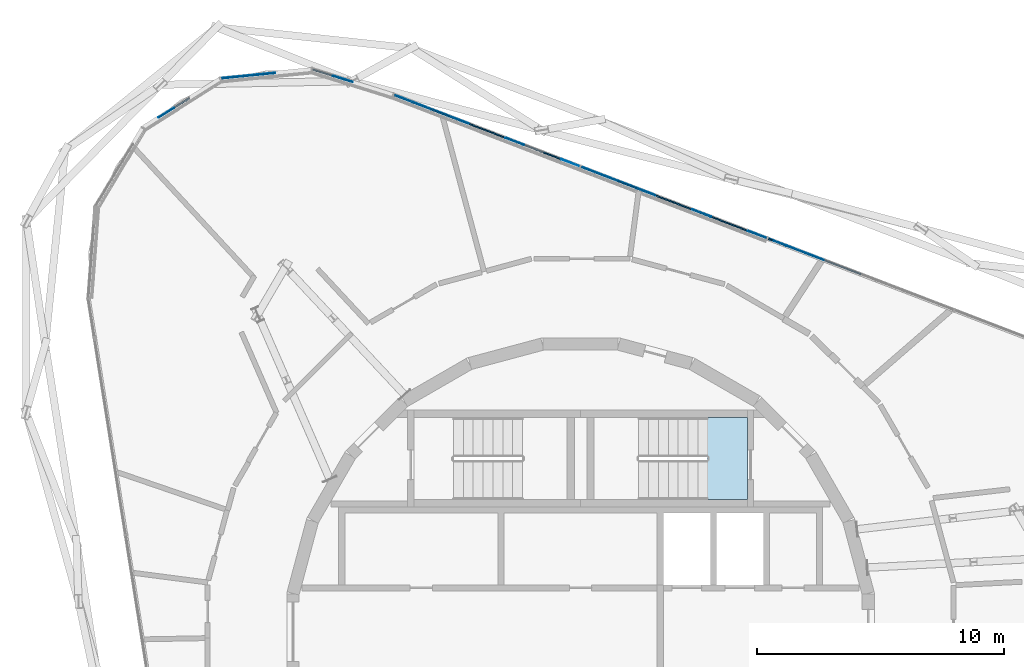
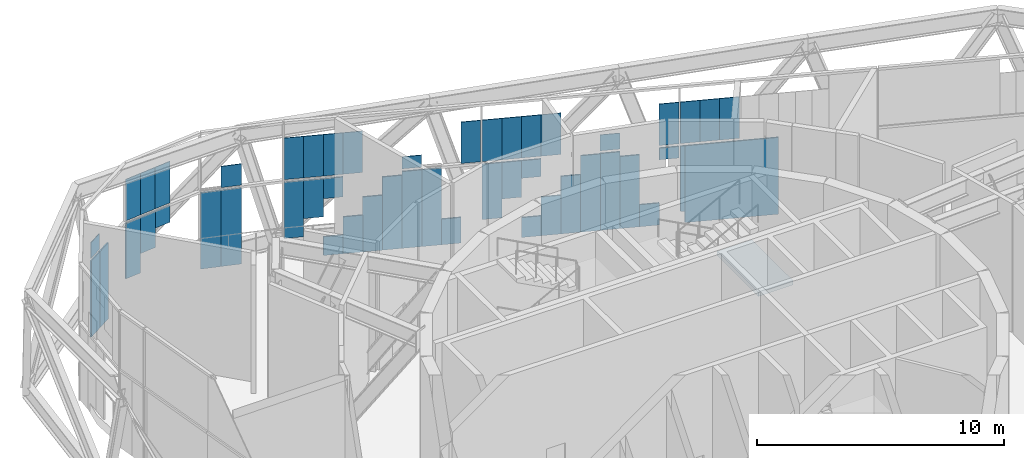
# One storey, part 15 of 25: 50 plates, 1 slab, 3 elements without a shape of their own.
"""IFC4 building model written with IfcOpenShell, lengths in metres."""

from ifc_helpers import new_model, si_unit, direction, frame, origin, origin_2d, place, context, subcontext, project, spatial, polyline, rectangle, outline, extrude, material, layer, layer_set, type_object, element, aggregate, save


model = new_model("IFC4")

# Units and contexts
model_context = context("Model", 3, precision=1e-05, world=origin(), true_north=direction((0.0, 1.0)))
body_context = subcontext(model_context, "Body", "Model", "MODEL_VIEW")
ifc_project = project(units=[si_unit("LENGTHUNIT", "METRE"), si_unit("AREAUNIT", "SQUARE_METRE"), si_unit("VOLUMEUNIT", "CUBIC_METRE"), si_unit("PLANEANGLEUNIT", "RADIAN"), si_unit("MASSUNIT", "GRAM", prefix="KILO")], contexts=[model_context])

# Site, building, storey
site_placement = place(None, origin())
site = spatial("IfcSite", under=ifc_project, at=site_placement, CompositionType="ELEMENT")
building_placement = place(site_placement, origin())
building = spatial("IfcBuilding", under=site, at=building_placement, Name="Spindle Arch Residences", CompositionType="ELEMENT")
storey_placement = place(building_placement, frame((0.0, 0.0, 291.39990234375)))
storey = spatial("IfcBuildingStorey", under=building, at=storey_placement, Name="L75", CompositionType="ELEMENT", Elevation=291.39990234375)

# Stair, slab
ifc_material_1 = material(Name="Concrete C50/60", Category="concrete")
stair_type = type_object("IfcStairType", Name="Exit stair 32 risers", PredefinedType="HALF_TURN_STAIR", material=ifc_material_1)
stair_placement = place(storey_placement, origin())
stair = element("IfcStair", 1, at=stair_placement, inside=storey, type_object=stair_type, Name="L75 Exit stair ST1", PredefinedType="HALF_TURN_STAIR")
ifc_material_2 = material(Name="Concrete C50/60", Category="concrete")
ifc_layer_1 = layer(ifc_material_2, 0.219970703125)
ifc_layer_set_1 = layer_set([ifc_layer_1], Name="Exit stair landing 220")
slab_type = type_object("IfcSlabType", Name="Exit stair landing 220", PredefinedType="LANDING", material=ifc_layer_set_1)
slab_placement = place(storey_placement, frame((0.0, 0.0, 3.18017578125)))
slab = element("IfcSlab", 2, at=slab_placement, type_object=slab_type, Name="ST1 landing 2", PredefinedType="LANDING", context=body_context, shape_type="SweptSolid", body=[
    extrude(outline(polyline([(6.75, 8.669921875), (5.1298828125, 8.669921875), (5.1298828125, 5.35009765625), (6.75, 5.35009765625), (6.75, 8.669921875)])), origin(), (0.0, 0.0, 1.0), 0.219970703125),
])
aggregate(stair, [slab])

# Curtain wall, plates
ifc_material_3 = material(Name="Aluminium bronze unitised frame with tinted glass", Category="aluminium")
ifc_layer_2 = layer(ifc_material_3, 0.159912109375)
ifc_layer_set_2 = layer_set([ifc_layer_2], Name="CW-E double-height winter garden wall")
curtain_wall_type = type_object("IfcCurtainWallType", Name="CW-E double-height winter garden wall", PredefinedType="NOTDEFINED", material=ifc_layer_set_2)
curtain_wall_1_placement = place(storey_placement, origin())
curtain_wall_1 = element("IfcCurtainWall", 3, at=curtain_wall_1_placement, inside=storey, type_object=curtain_wall_type, Name="CW-E L75 run 2", PredefinedType="NOTDEFINED")
ifc_material_4 = material(Name="Tinted laminated glass 28 mm", Category="glass")
ifc_layer_3 = layer(ifc_material_4, 0.028076171875)
ifc_layer_set_3 = layer_set([ifc_layer_3], Name="Tinted glass panel 28 mm")
plate_type_1 = type_object("IfcPlateType", Name="Tinted glass panel 28 mm", PredefinedType="CURTAIN_PANEL", material=ifc_layer_set_3)
plate_1_placement = place(storey_placement, frame((9.466796875, 15.193115234375, 3.460205078125), z_axis=(0.0, 0.0, 1.0), x_axis=(-0.933580426497, 0.358367949545, 0.0)))
plate_1 = element("IfcPlate", 4, at=plate_1_placement, type_object=plate_type_1, Name="CW-E panel 05Bb.3", PredefinedType="CURTAIN_PANEL", context=body_context, shape_type="SweptSolid", body=[
    extrude(rectangle(XDim=0.8046875, YDim=0.028076171875, at=origin_2d()), origin(), (0.0, 0.0, 1.0), 2.0458984375),
])
plate_2_placement = place(storey_placement, frame((8.71533203125, 15.481689453125, 3.460205078125), z_axis=(0.0, 0.0, 1.0), x_axis=(-0.933580426497, 0.358367949545, 0.0)))
plate_2 = element("IfcPlate", 5, at=plate_2_placement, type_object=plate_type_1, Name="CW-E panel 05Bb.4", PredefinedType="CURTAIN_PANEL", context=body_context, shape_type="SweptSolid", body=[
    extrude(rectangle(XDim=0.8046875, YDim=0.028076171875, at=origin_2d()), origin(), (0.0, 0.0, 1.0), 2.0458984375),
])
plate_3_placement = place(storey_placement, frame((7.964111328125, 15.77001953125, 3.460205078125), z_axis=(0.0, 0.0, 1.0), x_axis=(-0.933580426497, 0.358367949545, 0.0)))
plate_3 = element("IfcPlate", 6, at=plate_3_placement, type_object=plate_type_1, Name="CW-E panel 05Bb.5", PredefinedType="CURTAIN_PANEL", context=body_context, shape_type="SweptSolid", body=[
    extrude(rectangle(XDim=0.8046875, YDim=0.028076171875, at=origin_2d()), origin(), (0.0, 0.0, 1.0), 2.0458984375),
])
plate_4_placement = place(storey_placement, frame((7.15673828125, 16.079833984375, 3.460205078125), z_axis=(0.0, 0.0, 1.0), x_axis=(-0.933580426497, 0.358367949545, 0.0)))
plate_4 = element("IfcPlate", 7, at=plate_4_placement, type_object=plate_type_1, Name="CW-E panel 06Ab.1", PredefinedType="CURTAIN_PANEL", context=body_context, shape_type="SweptSolid", body=[
    extrude(rectangle(XDim=0.8046875, YDim=0.028076171875, at=origin_2d()), origin(), (0.0, 0.0, 1.0), 2.0458984375),
])
plate_5_placement = place(storey_placement, frame((4.90283203125, 16.945068359375, 3.460205078125), z_axis=(0.0, 0.0, 1.0), x_axis=(-0.933580426497, 0.358367949545, 0.0)))
plate_5 = element("IfcPlate", 8, at=plate_5_placement, type_object=plate_type_1, Name="CW-E panel 06Ab.2", PredefinedType="CURTAIN_PANEL", context=body_context, shape_type="SweptSolid", body=[
    extrude(rectangle(XDim=0.8046875, YDim=0.028076171875, at=origin_2d()), origin(), (0.0, 0.0, 1.0), 0.78857421875),
])
plate_6_placement = place(storey_placement, frame((2.64892578125, 17.810302734375, 3.460205078125), z_axis=(0.0, 0.0, 1.0), x_axis=(-0.933580426497, 0.358367949545, 0.0)))
plate_6 = element("IfcPlate", 9, at=plate_6_placement, type_object=plate_type_1, Name="CW-E panel 06Bb.1", PredefinedType="CURTAIN_PANEL", context=body_context, shape_type="SweptSolid", body=[
    extrude(rectangle(XDim=0.8046875, YDim=0.028076171875, at=origin_2d()), origin(), (0.0, 0.0, 1.0), 2.0458984375),
])
plate_7_placement = place(storey_placement, frame((1.897705078125, 18.0986328125, 3.460205078125), z_axis=(0.0, 0.0, 1.0), x_axis=(-0.933580426497, 0.358367949545, 0.0)))
plate_7 = element("IfcPlate", 10, at=plate_7_placement, type_object=plate_type_1, Name="CW-E panel 06Bb.2", PredefinedType="CURTAIN_PANEL", context=body_context, shape_type="SweptSolid", body=[
    extrude(rectangle(XDim=0.8046875, YDim=0.028076171875, at=origin_2d()), origin(), (0.0, 0.0, 1.0), 2.0458984375),
])
plate_8_placement = place(storey_placement, frame((1.146240234375, 18.386962890625, 3.460205078125), z_axis=(0.0, 0.0, 1.0), x_axis=(-0.933580426497, 0.358367949545, 0.0)))
plate_8 = element("IfcPlate", 11, at=plate_8_placement, type_object=plate_type_1, Name="CW-E panel 06Bb.3", PredefinedType="CURTAIN_PANEL", context=body_context, shape_type="SweptSolid", body=[
    extrude(rectangle(XDim=0.8046875, YDim=0.028076171875, at=origin_2d()), origin(), (0.0, 0.0, 1.0), 2.0458984375),
])
plate_9_placement = place(storey_placement, frame((0.39501953125, 18.675537109375, 3.460205078125), z_axis=(0.0, 0.0, 1.0), x_axis=(-0.933580426497, 0.358367949545, 0.0)))
plate_9 = element("IfcPlate", 12, at=plate_9_placement, type_object=plate_type_1, Name="CW-E panel 06Bb.4", PredefinedType="CURTAIN_PANEL", context=body_context, shape_type="SweptSolid", body=[
    extrude(rectangle(XDim=0.8046875, YDim=0.028076171875, at=origin_2d()), origin(), (0.0, 0.0, 1.0), 2.0458984375),
])
plate_10_placement = place(storey_placement, frame((-0.412353515625, 18.9853515625, 3.460205078125), z_axis=(0.0, 0.0, 1.0), x_axis=(-0.933580426497, 0.358367949545, 0.0)))
plate_10 = element("IfcPlate", 13, at=plate_10_placement, type_object=plate_type_1, Name="CW-E panel 07Ab.1", PredefinedType="CURTAIN_PANEL", context=body_context, shape_type="SweptSolid", body=[
    extrude(rectangle(XDim=0.8046875, YDim=0.028076171875, at=origin_2d()), origin(), (0.0, 0.0, 1.0), 2.0458984375),
])
plate_11_placement = place(storey_placement, frame((-2.666259765625, 19.8505859375, 3.4599609375), z_axis=(0.0, 0.0, 1.0), x_axis=(-0.933580426497, 0.358367949545, 0.0)))
plate_11 = element("IfcPlate", 14, at=plate_11_placement, type_object=plate_type_1, Name="CW-E panel 07Ab.3", PredefinedType="CURTAIN_PANEL", context=body_context, shape_type="SweptSolid", body=[
    extrude(rectangle(XDim=0.8046875, YDim=0.028076171875, at=origin_2d()), origin(), (0.0, 0.0, 1.0), 0.593994140625),
])
plate_12_placement = place(storey_placement, frame((-4.920166015625, 20.7158203125, 3.460205078125), z_axis=(0.0, 0.0, 1.0), x_axis=(-0.933580426497, 0.358367949545, 0.0)))
plate_12 = element("IfcPlate", 15, at=plate_12_placement, type_object=plate_type_1, Name="CW-E panel 07Bb.1", PredefinedType="CURTAIN_PANEL", context=body_context, shape_type="SweptSolid", body=[
    extrude(rectangle(XDim=0.8046875, YDim=0.028076171875, at=origin_2d()), origin(), (0.0, 0.0, 1.0), 2.0458984375),
])
plate_13_placement = place(storey_placement, frame((-5.67138671875, 21.004150390625, 3.460205078125), z_axis=(0.0, 0.0, 1.0), x_axis=(-0.933580426497, 0.358367949545, 0.0)))
plate_13 = element("IfcPlate", 16, at=plate_13_placement, type_object=plate_type_1, Name="CW-E panel 07Bb.2", PredefinedType="CURTAIN_PANEL", context=body_context, shape_type="SweptSolid", body=[
    extrude(rectangle(XDim=0.8046875, YDim=0.028076171875, at=origin_2d()), origin(), (0.0, 0.0, 1.0), 2.0458984375),
])
plate_14_placement = place(storey_placement, frame((-6.4228515625, 21.29248046875, 3.460205078125), z_axis=(0.0, 0.0, 1.0), x_axis=(-0.933580426497, 0.358367949545, 0.0)))
plate_14 = element("IfcPlate", 17, at=plate_14_placement, type_object=plate_type_1, Name="CW-E panel 07Bb.3", PredefinedType="CURTAIN_PANEL", context=body_context, shape_type="SweptSolid", body=[
    extrude(rectangle(XDim=0.8046875, YDim=0.028076171875, at=origin_2d()), origin(), (0.0, 0.0, 1.0), 2.0458984375),
])
plate_15_placement = place(storey_placement, frame((-7.174072265625, 21.5810546875, 3.460205078125), z_axis=(0.0, 0.0, 1.0), x_axis=(-0.933580426497, 0.358367949545, 0.0)))
plate_15 = element("IfcPlate", 18, at=plate_15_placement, type_object=plate_type_1, Name="CW-E panel 07Bb.4", PredefinedType="CURTAIN_PANEL", context=body_context, shape_type="SweptSolid", body=[
    extrude(rectangle(XDim=0.8046875, YDim=0.028076171875, at=origin_2d()), origin(), (0.0, 0.0, 1.0), 2.0458984375),
])

curtain_wall_2_placement = place(storey_placement, origin())
curtain_wall_2 = element("IfcCurtainWall", 19, at=curtain_wall_2_placement, inside=storey, type_object=curtain_wall_type, Name="CW-E L75 run 3", PredefinedType="NOTDEFINED")
plate_16_placement = place(storey_placement, frame((-9.63134765625, 22.37890625, 3.4599609375), z_axis=(0.0, 0.0, 1.0), x_axis=(-0.954314920262, 0.298802665594, 0.0)))
plate_16 = element("IfcPlate", 20, at=plate_16_placement, type_object=plate_type_1, Name="CW-E panel 00b.1", PredefinedType="CURTAIN_PANEL", context=body_context, shape_type="SweptSolid", body=[
    extrude(rectangle(XDim=0.8486328125, YDim=0.028076171875, at=origin_2d()), origin(), (0.0, 0.0, 1.0), 1.048583984375),
])
plate_17_placement = place(storey_placement, frame((-12.729248046875, 22.584228515625, 3.460205078125), z_axis=(0.0, 0.0, 1.0), x_axis=(-0.995113183485, -0.098740832762, 0.0)))
plate_17 = element("IfcPlate", 21, at=plate_17_placement, type_object=plate_type_1, Name="CW-E panel 01b.1", PredefinedType="CURTAIN_PANEL", context=body_context, shape_type="SweptSolid", body=[
    extrude(rectangle(XDim=0.7333984375, YDim=0.028076171875, at=origin_2d()), origin(), (0.0, 0.0, 1.0), 2.0458984375),
])
plate_18_placement = place(storey_placement, frame((-13.458984375, 22.511962890625, 3.460205078125), z_axis=(0.0, 0.0, 1.0), x_axis=(-0.995113183485, -0.098740832762, 0.0)))
plate_18 = element("IfcPlate", 22, at=plate_18_placement, type_object=plate_type_1, Name="CW-E panel 01b.2", PredefinedType="CURTAIN_PANEL", context=body_context, shape_type="SweptSolid", body=[
    extrude(rectangle(XDim=0.7333984375, YDim=0.028076171875, at=origin_2d()), origin(), (0.0, 0.0, 1.0), 2.0458984375),
])
plate_19_placement = place(storey_placement, frame((-14.188720703125, 22.439453125, 3.460205078125), z_axis=(0.0, 0.0, 1.0), x_axis=(-0.995113183485, -0.098740832762, 0.0)))
plate_19 = element("IfcPlate", 23, at=plate_19_placement, type_object=plate_type_1, Name="CW-E panel 01b.3", PredefinedType="CURTAIN_PANEL", context=body_context, shape_type="SweptSolid", body=[
    extrude(rectangle(XDim=0.7333984375, YDim=0.028076171875, at=origin_2d()), origin(), (0.0, 0.0, 1.0), 2.0458984375),
])
plate_20_placement = place(storey_placement, frame((-16.777587890625, 21.011474609375, 3.460205078125), z_axis=(0.0, 0.0, 1.0), x_axis=(-0.844950814707, -0.534844015322, 0.0)))
plate_20 = element("IfcPlate", 24, at=plate_20_placement, type_object=plate_type_1, Name="CW-E panel 02b.2", PredefinedType="CURTAIN_PANEL", context=body_context, shape_type="SweptSolid", body=[
    extrude(rectangle(XDim=0.7333984375, YDim=0.028076171875, at=origin_2d()), origin(), (0.0, 0.0, 1.0), 0.779296875),
])

# Plate
ifc_material_5 = material(Name="Tinted double glazing over aluminium faced non-combustible spandrel zone (K0)", Category="aluminium")
ifc_layer_4 = layer(ifc_material_5, 0.06005859375)
ifc_layer_set_4 = layer_set([ifc_layer_4], Name="Unitised glass panel with E 60 spandrel zone")
plate_type_2 = type_object("IfcPlateType", Name="Unitised glass panel with E 60 spandrel zone", PredefinedType="CURTAIN_PANEL", material=ifc_layer_set_4)
plate_21_placement = place(storey_placement, frame((9.552734375, 15.16015625, -0.449951171875), z_axis=(0.0, 0.0, 1.0), x_axis=(-0.933580426497, 0.358367949545, 0.0)))
plate_21 = element("IfcPlate", 25, at=plate_21_placement, type_object=plate_type_2, Name="CW-E panel 05Ba.1", PredefinedType="CURTAIN_PANEL", context=body_context, shape_type="SweptSolid", body=[
    extrude(rectangle(XDim=3.83935546875, YDim=0.06005859375, at=origin_2d()), origin(), (0.0, 0.0, 1.0), 3.7900390625),
])

plate_22_placement = place(storey_placement, frame((7.674560546875, 15.881103515625, 0.115234375), z_axis=(0.0, 0.0, 1.0), x_axis=(-0.933580426497, 0.358367949545, 0.0)))
plate_22 = element("IfcPlate", 26, at=plate_22_placement, type_object=plate_type_2, Name="CW-E panel 05Ba.2", PredefinedType="CURTAIN_PANEL", context=body_context, shape_type="SweptSolid", body=[
    extrude(rectangle(XDim=0.184326171875, YDim=0.06005859375, at=origin_2d()), origin(), (0.0, 0.0, 1.0), 3.224853515625),
])

plate_23_placement = place(storey_placement, frame((7.15673828125, 16.079833984375, 2.766357421875), z_axis=(0.0, 0.0, 1.0), x_axis=(-0.933580426497, 0.358367949545, 0.0)))
plate_23 = element("IfcPlate", 27, at=plate_23_placement, type_object=plate_type_2, Name="CW-E panel 06Aa.1", PredefinedType="CURTAIN_PANEL", context=body_context, shape_type="SweptSolid", body=[
    extrude(rectangle(XDim=0.8046875, YDim=0.06005859375, at=origin_2d()), origin(), (0.0, 0.0, 1.0), 0.57373046875),
])

plate_24_placement = place(storey_placement, frame((6.405517578125, 16.3681640625, -0.449951171875), z_axis=(0.0, 0.0, 1.0), x_axis=(-0.933580426497, 0.358367949545, 0.0)))
plate_24 = element("IfcPlate", 28, at=plate_24_placement, type_object=plate_type_2, Name="CW-E panel 06Aa.2", PredefinedType="CURTAIN_PANEL", context=body_context, shape_type="SweptSolid", body=[
    extrude(rectangle(XDim=0.8046875, YDim=0.06005859375, at=origin_2d()), origin(), (0.0, 0.0, 1.0), 1.087890625),
])

plate_25_placement = place(storey_placement, frame((5.654052734375, 16.65673828125, -0.449951171875), z_axis=(0.0, 0.0, 1.0), x_axis=(-0.933580426497, 0.358367949545, 0.0)))
plate_25 = element("IfcPlate", 29, at=plate_25_placement, type_object=plate_type_2, Name="CW-E panel 06Aa.3", PredefinedType="CURTAIN_PANEL", context=body_context, shape_type="SweptSolid", body=[
    extrude(rectangle(XDim=0.8046875, YDim=0.06005859375, at=origin_2d()), origin(), (0.0, 0.0, 1.0), 3.55517578125),
])

plate_26_placement = place(storey_placement, frame((4.90283203125, 16.945068359375, -0.449951171875), z_axis=(0.0, 0.0, 1.0), x_axis=(-0.933580426497, 0.358367949545, 0.0)))
plate_26 = element("IfcPlate", 30, at=plate_26_placement, type_object=plate_type_2, Name="CW-E panel 06Aa.4", PredefinedType="CURTAIN_PANEL", context=body_context, shape_type="SweptSolid", body=[
    extrude(rectangle(XDim=0.8046875, YDim=0.06005859375, at=origin_2d()), origin(), (0.0, 0.0, 1.0), 3.7900390625),
])

plate_27_placement = place(storey_placement, frame((4.151611328125, 17.2333984375, -0.449951171875), z_axis=(0.0, 0.0, 1.0), x_axis=(-0.933580426497, 0.358367949545, 0.0)))
plate_27 = element("IfcPlate", 31, at=plate_27_placement, type_object=plate_type_2, Name="CW-E panel 06Aa.5", PredefinedType="CURTAIN_PANEL", context=body_context, shape_type="SweptSolid", body=[
    extrude(rectangle(XDim=0.8046875, YDim=0.06005859375, at=origin_2d()), origin(), (0.0, 0.0, 1.0), 3.76953125),
])

plate_28_placement = place(storey_placement, frame((3.400146484375, 17.52197265625, -0.449951171875), z_axis=(0.0, 0.0, 1.0), x_axis=(-0.933580426497, 0.358367949545, 0.0)))
plate_28 = element("IfcPlate", 32, at=plate_28_placement, type_object=plate_type_2, Name="CW-E panel 06Ba.1", PredefinedType="CURTAIN_PANEL", context=body_context, shape_type="SweptSolid", body=[
    extrude(rectangle(XDim=0.8046875, YDim=0.06005859375, at=origin_2d()), origin(), (0.0, 0.0, 1.0), 2.84033203125),
])

plate_29_placement = place(storey_placement, frame((2.64892578125, 17.810302734375, -0.449951171875), z_axis=(0.0, 0.0, 1.0), x_axis=(-0.933580426497, 0.358367949545, 0.0)))
plate_29 = element("IfcPlate", 33, at=plate_29_placement, type_object=plate_type_2, Name="CW-E panel 06Ba.2", PredefinedType="CURTAIN_PANEL", context=body_context, shape_type="SweptSolid", body=[
    extrude(rectangle(XDim=0.8046875, YDim=0.06005859375, at=origin_2d()), origin(), (0.0, 0.0, 1.0), 1.9111328125),
])

plate_30_placement = place(storey_placement, frame((1.897705078125, 18.0986328125, -0.449951171875), z_axis=(0.0, 0.0, 1.0), x_axis=(-0.933580426497, 0.358367949545, 0.0)))
plate_30 = element("IfcPlate", 34, at=plate_30_placement, type_object=plate_type_2, Name="CW-E panel 06Ba.3", PredefinedType="CURTAIN_PANEL", context=body_context, shape_type="SweptSolid", body=[
    extrude(rectangle(XDim=0.8046875, YDim=0.06005859375, at=origin_2d()), origin(), (0.0, 0.0, 1.0), 0.98193359375),
])

plate_31_placement = place(storey_placement, frame((1.897705078125, 18.0986328125, 2.46923828125), z_axis=(0.0, 0.0, 1.0), x_axis=(-0.933580426497, 0.358367949545, 0.0)))
plate_31 = element("IfcPlate", 35, at=plate_31_placement, type_object=plate_type_2, Name="CW-E panel 06Ba.4", PredefinedType="CURTAIN_PANEL", context=body_context, shape_type="SweptSolid", body=[
    extrude(rectangle(XDim=0.8046875, YDim=0.06005859375, at=origin_2d()), origin(), (0.0, 0.0, 1.0), 0.870849609375),
])

plate_32_placement = place(storey_placement, frame((1.146240234375, 18.386962890625, 1.5400390625), z_axis=(0.0, 0.0, 1.0), x_axis=(-0.933580426497, 0.358367949545, 0.0)))
plate_32 = element("IfcPlate", 36, at=plate_32_placement, type_object=plate_type_2, Name="CW-E panel 06Ba.6", PredefinedType="CURTAIN_PANEL", context=body_context, shape_type="SweptSolid", body=[
    extrude(rectangle(XDim=0.8046875, YDim=0.06005859375, at=origin_2d()), origin(), (0.0, 0.0, 1.0), 1.800048828125),
])

plate_33_placement = place(storey_placement, frame((0.39501953125, 18.675537109375, 0.611083984375), z_axis=(0.0, 0.0, 1.0), x_axis=(-0.933580426497, 0.358367949545, 0.0)))
plate_33 = element("IfcPlate", 37, at=plate_33_placement, type_object=plate_type_2, Name="CW-E panel 06Ba.7", PredefinedType="CURTAIN_PANEL", context=body_context, shape_type="SweptSolid", body=[
    extrude(rectangle(XDim=0.8046875, YDim=0.06005859375, at=origin_2d()), origin(), (0.0, 0.0, 1.0), 2.72900390625),
])

plate_34_placement = place(storey_placement, frame((-1.16357421875, 19.273681640625, -0.44970703125), z_axis=(0.0, 0.0, 1.0), x_axis=(-0.933580426497, 0.358367949545, 0.0)))
plate_34 = element("IfcPlate", 38, at=plate_34_placement, type_object=plate_type_2, Name="CW-E panel 07Aa.2", PredefinedType="CURTAIN_PANEL", context=body_context, shape_type="SweptSolid", body=[
    extrude(rectangle(XDim=0.8046875, YDim=0.06005859375, at=origin_2d()), origin(), (0.0, 0.0, 1.0), 1.266357421875),
])

plate_35_placement = place(storey_placement, frame((-1.9150390625, 19.562255859375, -0.449951171875), z_axis=(0.0, 0.0, 1.0), x_axis=(-0.933580426497, 0.358367949545, 0.0)))
plate_35 = element("IfcPlate", 39, at=plate_35_placement, type_object=plate_type_2, Name="CW-E panel 07Aa.3", PredefinedType="CURTAIN_PANEL", context=body_context, shape_type="SweptSolid", body=[
    extrude(rectangle(XDim=0.8046875, YDim=0.06005859375, at=origin_2d()), origin(), (0.0, 0.0, 1.0), 3.7900390625),
])

plate_36_placement = place(storey_placement, frame((-2.666259765625, 19.8505859375, -0.449951171875), z_axis=(0.0, 0.0, 1.0), x_axis=(-0.933580426497, 0.358367949545, 0.0)))
plate_36 = element("IfcPlate", 40, at=plate_36_placement, type_object=plate_type_2, Name="CW-E panel 07Aa.4", PredefinedType="CURTAIN_PANEL", context=body_context, shape_type="SweptSolid", body=[
    extrude(rectangle(XDim=0.8046875, YDim=0.06005859375, at=origin_2d()), origin(), (0.0, 0.0, 1.0), 3.7900390625),
])

plate_37_placement = place(storey_placement, frame((-3.41748046875, 20.138916015625, -0.449951171875), z_axis=(0.0, 0.0, 1.0), x_axis=(-0.933580426497, 0.358367949545, 0.0)))
plate_37 = element("IfcPlate", 41, at=plate_37_placement, type_object=plate_type_2, Name="CW-E panel 07Aa.5", PredefinedType="CURTAIN_PANEL", context=body_context, shape_type="SweptSolid", body=[
    extrude(rectangle(XDim=0.8046875, YDim=0.06005859375, at=origin_2d()), origin(), (0.0, 0.0, 1.0), 3.60888671875),
])

plate_38_placement = place(storey_placement, frame((-4.1689453125, 20.427490234375, -0.44970703125), z_axis=(0.0, 0.0, 1.0), x_axis=(-0.933580426497, 0.358367949545, 0.0)))
plate_38 = element("IfcPlate", 42, at=plate_38_placement, type_object=plate_type_2, Name="CW-E panel 07Ba.1", PredefinedType="CURTAIN_PANEL", context=body_context, shape_type="SweptSolid", body=[
    extrude(rectangle(XDim=0.8046875, YDim=0.06005859375, at=origin_2d()), origin(), (0.0, 0.0, 1.0), 2.713623046875),
])

plate_39_placement = place(storey_placement, frame((-4.920166015625, 20.7158203125, -0.449951171875), z_axis=(0.0, 0.0, 1.0), x_axis=(-0.933580426497, 0.358367949545, 0.0)))
plate_39 = element("IfcPlate", 43, at=plate_39_placement, type_object=plate_type_2, Name="CW-E panel 07Ba.2", PredefinedType="CURTAIN_PANEL", context=body_context, shape_type="SweptSolid", body=[
    extrude(rectangle(XDim=0.8046875, YDim=0.06005859375, at=origin_2d()), origin(), (0.0, 0.0, 1.0), 1.818359375),
])

plate_40_placement = place(storey_placement, frame((-5.67138671875, 21.004150390625, -0.44970703125), z_axis=(0.0, 0.0, 1.0), x_axis=(-0.933580426497, 0.358367949545, 0.0)))
plate_40 = element("IfcPlate", 44, at=plate_40_placement, type_object=plate_type_2, Name="CW-E panel 07Ba.4", PredefinedType="CURTAIN_PANEL", context=body_context, shape_type="SweptSolid", body=[
    extrude(rectangle(XDim=0.8046875, YDim=0.06005859375, at=origin_2d()), origin(), (0.0, 0.0, 1.0), 0.923095703125),
])

plate_41_placement = place(storey_placement, frame((-5.67138671875, 21.004150390625, 2.355712890625), z_axis=(0.0, 0.0, 1.0), x_axis=(-0.933580426497, 0.358367949545, 0.0)))
plate_41 = element("IfcPlate", 45, at=plate_41_placement, type_object=plate_type_2, Name="CW-E panel 07Ba.5", PredefinedType="CURTAIN_PANEL", context=body_context, shape_type="SweptSolid", body=[
    extrude(rectangle(XDim=0.8046875, YDim=0.06005859375, at=origin_2d()), origin(), (0.0, 0.0, 1.0), 0.984375),
])

plate_42_placement = place(storey_placement, frame((-6.4228515625, 21.29248046875, 1.46044921875), z_axis=(0.0, 0.0, 1.0), x_axis=(-0.933580426497, 0.358367949545, 0.0)))
plate_42 = element("IfcPlate", 46, at=plate_42_placement, type_object=plate_type_2, Name="CW-E panel 07Ba.6", PredefinedType="CURTAIN_PANEL", context=body_context, shape_type="SweptSolid", body=[
    extrude(rectangle(XDim=0.8046875, YDim=0.06005859375, at=origin_2d()), origin(), (0.0, 0.0, 1.0), 1.879638671875),
])

plate_43_placement = place(storey_placement, frame((-7.174072265625, 21.5810546875, 0.5654296875), z_axis=(0.0, 0.0, 1.0), x_axis=(-0.933580426497, 0.358367949545, 0.0)))
plate_43 = element("IfcPlate", 47, at=plate_43_placement, type_object=plate_type_2, Name="CW-E panel 07Ba.7", PredefinedType="CURTAIN_PANEL", context=body_context, shape_type="SweptSolid", body=[
    extrude(rectangle(XDim=0.8046875, YDim=0.06005859375, at=origin_2d()), origin(), (0.0, 0.0, 1.0), 2.774658203125),
])

aggregate(curtain_wall_1, [plate_21, plate_22, plate_1, plate_2, plate_3, plate_23, plate_24, plate_25, plate_26, plate_27, plate_4, plate_5, plate_28, plate_29, plate_30, plate_31, plate_32, plate_33, plate_6, plate_7, plate_8, plate_9, plate_34, plate_35, plate_36, plate_37, plate_10, plate_11, plate_38, plate_39, plate_40, plate_41, plate_42, plate_43, plate_12, plate_13, plate_14, plate_15])

plate_44_placement = place(storey_placement, frame((-9.63134765625, 22.37890625, -0.419921875), z_axis=(0.0, 0.0, 1.0), x_axis=(-0.954314920262, 0.298802665594, 0.0)))
plate_44 = element("IfcPlate", 48, at=plate_44_placement, type_object=plate_type_2, Name="CW-E panel 00a.1", PredefinedType="CURTAIN_PANEL", context=body_context, shape_type="SweptSolid", body=[
    extrude(rectangle(XDim=0.8486328125, YDim=0.06005859375, at=origin_2d()), origin(), (0.0, 0.0, 1.0), 3.760009765625),
])

plate_45_placement = place(storey_placement, frame((-10.441162109375, 22.632568359375, -0.419921875), z_axis=(0.0, 0.0, 1.0), x_axis=(-0.954314920262, 0.298802665594, 0.0)))
plate_45 = element("IfcPlate", 49, at=plate_45_placement, type_object=plate_type_2, Name="CW-E panel 00a.2", PredefinedType="CURTAIN_PANEL", context=body_context, shape_type="SweptSolid", body=[
    extrude(rectangle(XDim=0.8486328125, YDim=0.06005859375, at=origin_2d()), origin(), (0.0, 0.0, 1.0), 3.760009765625),
])

plate_46_placement = place(storey_placement, frame((-12.729248046875, 22.584228515625, 2.514404296875), z_axis=(0.0, 0.0, 1.0), x_axis=(-0.995113183485, -0.098740832762, 0.0)))
plate_46 = element("IfcPlate", 50, at=plate_46_placement, type_object=plate_type_2, Name="CW-E panel 01a.1", PredefinedType="CURTAIN_PANEL", context=body_context, shape_type="SweptSolid", body=[
    extrude(rectangle(XDim=0.7333984375, YDim=0.06005859375, at=origin_2d()), origin(), (0.0, 0.0, 1.0), 0.82568359375),
])

plate_47_placement = place(storey_placement, frame((-13.458984375, 22.511962890625, 1.561767578125), z_axis=(0.0, 0.0, 1.0), x_axis=(-0.995113183485, -0.098740832762, 0.0)))
plate_47 = element("IfcPlate", 51, at=plate_47_placement, type_object=plate_type_2, Name="CW-E panel 01a.2", PredefinedType="CURTAIN_PANEL", context=body_context, shape_type="SweptSolid", body=[
    extrude(rectangle(XDim=0.7333984375, YDim=0.06005859375, at=origin_2d()), origin(), (0.0, 0.0, 1.0), 1.7783203125),
])

plate_48_placement = place(storey_placement, frame((-14.188720703125, 22.439453125, 0.609130859375), z_axis=(0.0, 0.0, 1.0), x_axis=(-0.995113183485, -0.098740832762, 0.0)))
plate_48 = element("IfcPlate", 52, at=plate_48_placement, type_object=plate_type_2, Name="CW-E panel 01a.3", PredefinedType="CURTAIN_PANEL", context=body_context, shape_type="SweptSolid", body=[
    extrude(rectangle(XDim=0.7333984375, YDim=0.06005859375, at=origin_2d()), origin(), (0.0, 0.0, 1.0), 2.73095703125),
])

plate_49_placement = place(storey_placement, frame((-16.157958984375, 21.403564453125, -0.419921875), z_axis=(0.0, 0.0, 1.0), x_axis=(-0.844950814707, -0.534844015322, 0.0)))
plate_49 = element("IfcPlate", 53, at=plate_49_placement, type_object=plate_type_2, Name="CW-E panel 02a.1", PredefinedType="CURTAIN_PANEL", context=body_context, shape_type="SweptSolid", body=[
    extrude(rectangle(XDim=0.7333984375, YDim=0.06005859375, at=origin_2d()), origin(), (0.0, 0.0, 1.0), 3.760009765625),
])

plate_50_placement = place(storey_placement, frame((-16.777587890625, 21.011474609375, -0.419921875), z_axis=(0.0, 0.0, 1.0), x_axis=(-0.844950814707, -0.534844015322, 0.0)))
plate_50 = element("IfcPlate", 54, at=plate_50_placement, type_object=plate_type_2, Name="CW-E panel 02a.2", PredefinedType="CURTAIN_PANEL", context=body_context, shape_type="SweptSolid", body=[
    extrude(rectangle(XDim=0.7333984375, YDim=0.06005859375, at=origin_2d()), origin(), (0.0, 0.0, 1.0), 3.760009765625),
])

aggregate(curtain_wall_2, [plate_44, plate_45, plate_16, plate_46, plate_47, plate_48, plate_17, plate_18, plate_19, plate_49, plate_50, plate_20])

save(model, "model.ifc")
